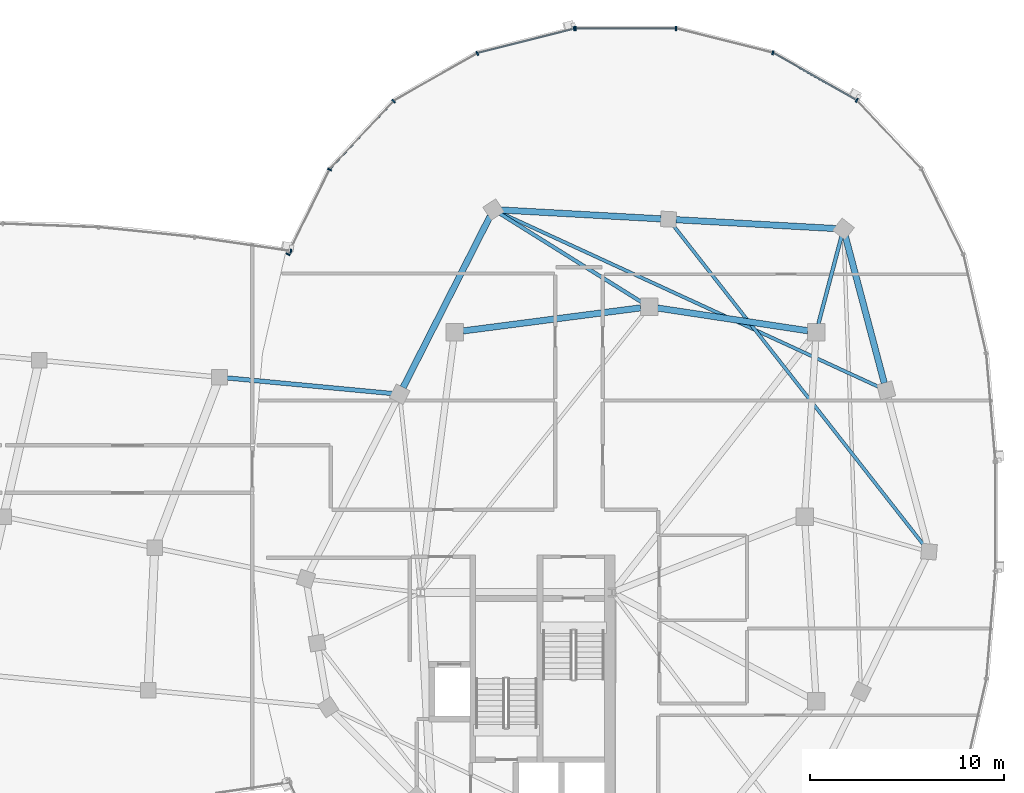
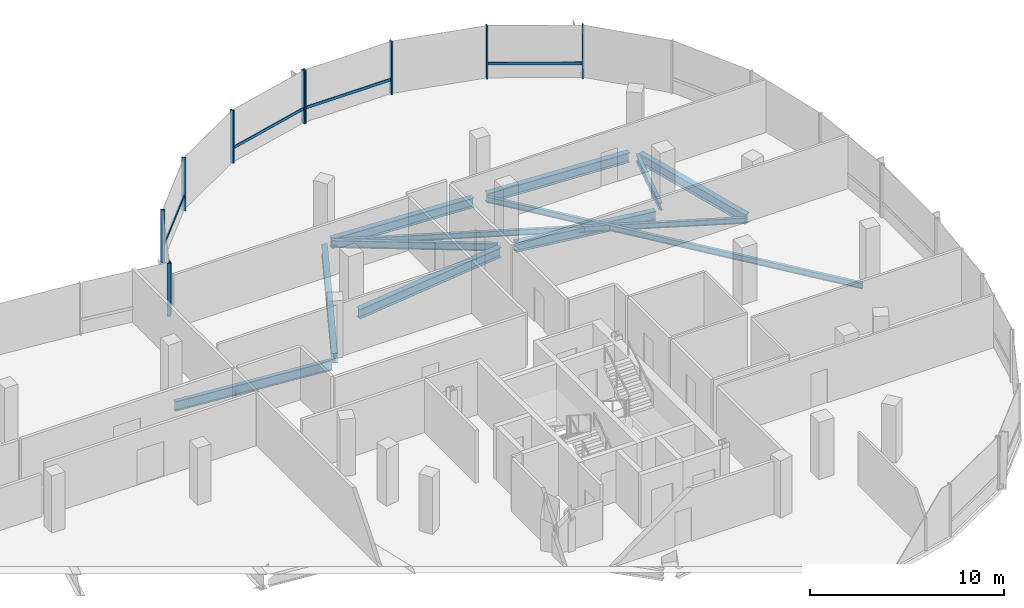
# One storey, part 10 of 25: 14 members, 11 beams, 3 elements without a shape of their own.
"""IFC4 building model written with IfcOpenShell, lengths in metres."""

import ifcopenshell
import ifcopenshell.guid

model = None  # the IFC model being written
_history = None  # IfcOwnerHistory: only IFC2X3 demands one
_inside = {}  # id of a spatial element -> (the spatial element, [elements in it])
_under = {}  # id of a project, library or spatial element -> (it, [spatial elements below it])
_declared = {}  # id of a project -> (the project, [libraries it declares])
_typed = {}  # id of a type object -> (the type object, [elements of that type])
_made_of = {}  # id of a material, layer set ... -> (it, [elements and type objects made of it])


def new_model(schema):
    """Start an empty IFC model of exactly this schema.

    Asked for "IFC4X3", IfcOpenShell would pick the latest addendum, in which some entities
    have other attributes; the version numbers below select the first issue.
    IFC2X3 requires an IfcOwnerHistory on every rooted entity: one is made here for all.
    """
    global model, _history
    if schema == "IFC4X3":
        model = ifcopenshell.file(schema_version=(4, 3, 0, 0))
    else:
        model = ifcopenshell.file(schema=schema)
    _inside.clear()
    _under.clear()
    _declared.clear()
    _typed.clear()
    _made_of.clear()
    _history = None
    if model.schema == "IFC2X3":
        org = make("IfcOrganization", Name="unknown")
        user = make(
            "IfcPersonAndOrganization",
            ThePerson=make("IfcPerson", FamilyName="unknown"),
            TheOrganization=org,
        )
        app = make(
            "IfcApplication",
            ApplicationDeveloper=org,
            Version="unknown",
            ApplicationFullName="unknown",
            ApplicationIdentifier="unknown",
        )
        _history = make(
            "IfcOwnerHistory",
            OwningUser=user,
            OwningApplication=app,
            ChangeAction="ADDED",
            CreationDate=0,
        )
    return model


def make(cls, **values):
    """One entity of the class cls with the attributes given. An attribute that is None is left unset."""
    return model.create_entity(
        cls, **{name: value for name, value in values.items() if value is not None}
    )


def rooted(cls, **values):
    """An entity with a GlobalId (a new one), such as an element, a storey or a relation."""
    return make(cls, GlobalId=ifcopenshell.guid.new(), OwnerHistory=_history, **values)


def si_unit(unit_type, name, prefix=None):
    """IfcSIUnit, for example si_unit("LENGTHUNIT", "METRE", prefix="MILLI")."""
    return make("IfcSIUnit", UnitType=unit_type, Prefix=prefix, Name=name)


def assignment(units):
    """IfcUnitAssignment: the units of a project."""
    return None if units is None else make("IfcUnitAssignment", Units=units)


def point(xyz):
    """IfcCartesianPoint."""
    return None if xyz is None else make("IfcCartesianPoint", Coordinates=xyz)


def direction(xyz):
    """IfcDirection."""
    return None if xyz is None else make("IfcDirection", DirectionRatios=xyz)


def frame(location, z_axis=None, x_axis=None):
    """IfcAxis2Placement3D, a coordinate frame: its origin and axes. An axis left out is left unset."""
    return make(
        "IfcAxis2Placement3D",
        Location=point(location),
        Axis=direction(z_axis),
        RefDirection=direction(x_axis),
    )


def frame_2d(location, x_axis=None):
    """IfcAxis2Placement2D, a coordinate frame in the plane: its origin and x axis."""
    return make(
        "IfcAxis2Placement2D", Location=point(location), RefDirection=direction(x_axis)
    )


def origin():
    """The frame at (0, 0, 0) with its axes left unset."""
    return frame((0.0, 0.0, 0.0))


def origin_2d():
    """The frame at (0, 0) in the plane with its x axis left unset."""
    return frame_2d((0.0, 0.0))


def place(relative_to, where):
    """IfcLocalPlacement: puts the frame where relative to a parent placement (None: the world)."""
    return make(
        "IfcLocalPlacement", PlacementRelTo=relative_to, RelativePlacement=where
    )


def context(
    kind, dimensions, precision=None, world=None, true_north=None, identifier=None
):
    """IfcGeometricRepresentationContext, for example the 3D "Model" context."""
    return make(
        "IfcGeometricRepresentationContext",
        ContextIdentifier=identifier,
        ContextType=kind,
        CoordinateSpaceDimension=dimensions,
        Precision=precision,
        WorldCoordinateSystem=world,
        TrueNorth=true_north,
    )


def subcontext(parent, identifier, kind, view, scale=None):
    """IfcGeometricRepresentationSubContext, for example "Body" below "Model"."""
    return make(
        "IfcGeometricRepresentationSubContext",
        ContextIdentifier=identifier,
        ContextType=kind,
        ParentContext=parent,
        TargetScale=scale,
        TargetView=view,
    )


def project(units=None, contexts=None):
    """IfcProject with its units and contexts."""
    return rooted(
        "IfcProject",
        Name="project",
        RepresentationContexts=contexts,
        UnitsInContext=assignment(units),
    )


def spatial(cls, under=None, at=None, **own):
    """A site, building, storey or space (cls), placed at a placement, below another one or the project."""
    s = rooted(cls, ObjectPlacement=at, **own)
    if under is not None:
        _under.setdefault(under.id(), (under, []))[1].append(s)
    return s


def profile(cls, at=None, kind="AREA", **sizes):
    """A parametric profile (cls). Its sizes go by their IFC names, for example OverallWidth=200.0."""
    return make(cls, ProfileType=kind, Position=at, **sizes)


def rectangle(**sizes):
    """IfcRectangleProfileDef."""
    return profile("IfcRectangleProfileDef", **sizes)


def i_section(**sizes):
    """IfcIShapeProfileDef."""
    return profile("IfcIShapeProfileDef", **sizes)


def extrude(swept, where, along, depth):
    """IfcExtrudedAreaSolid: the profile swept, set in the frame where, extruded along a direction by depth."""
    return make(
        "IfcExtrudedAreaSolid",
        SweptArea=swept,
        Position=where,
        ExtrudedDirection=direction(along),
        Depth=depth,
    )


def shape(context_of_items, identifier, shape_type, items):
    """IfcShapeRepresentation: the items that make up one representation, for example the "Body"."""
    return make(
        "IfcShapeRepresentation",
        ContextOfItems=context_of_items,
        RepresentationIdentifier=identifier,
        RepresentationType=shape_type,
        Items=items,
    )


def material(Name=None, Category=None):
    """IfcMaterial."""
    return make("IfcMaterial", Name=Name, Category=Category)


def material_profile(
    of_material, cross_section, Name=None, Category=None, Priority=None
):
    """IfcMaterialProfile: a cross section and its material."""
    return make(
        "IfcMaterialProfile",
        Name=Name,
        Material=of_material,
        Profile=cross_section,
        Priority=Priority,
        Category=Category,
    )


def profile_set(profiles, Name=None, composite=None):
    """IfcMaterialProfileSet."""
    return make(
        "IfcMaterialProfileSet",
        Name=Name,
        MaterialProfiles=profiles,
        CompositeProfile=composite,
    )


def made_of(thing, what):
    """Note that an element or type object is made of a material, layer set ...; save() writes the relation."""
    if what is not None:
        _made_of.setdefault(what.id(), (what, []))[1].append(thing)
    return thing


def type_object(cls, material=None, **own):
    """A type object (cls), such as IfcWallType, which elements share."""
    return made_of(rooted(cls, **own), material)


def element(
    cls,
    number,
    at=None,
    inside=None,
    cuts=None,
    type_object=None,
    material=None,
    context=None,
    identifier="Body",
    shape_type=None,
    held_by="IfcProductDefinitionShape",
    body=None,
    shapes=None,
    **own,
):
    """One element of the class cls, such as IfcWall. Its Tag is "e" and its number.

    at: its placement. inside: the storey or other place that contains it. cuts: it is an
    opening in that element (IfcRelVoidsElement). A single representation is given by context,
    identifier, shape_type and body (its items); several are given by shapes. held_by: the class
    of the entity that holds the representations. save() writes the other relations.
    """
    e = rooted(cls, Tag="e%d" % number, ObjectPlacement=at, **own)
    if body is not None:
        shapes = [shape(context, identifier, shape_type, body)]
    if shapes is not None:
        e.Representation = make(held_by, Representations=shapes)
    if inside is not None:
        _inside.setdefault(inside.id(), (inside, []))[1].append(e)
    if cuts is not None:
        rooted(
            "IfcRelVoidsElement", RelatingBuildingElement=cuts, RelatedOpeningElement=e
        )
    if type_object is not None:
        _typed.setdefault(type_object.id(), (type_object, []))[1].append(e)
    return made_of(e, material)


def aggregate(whole, parts):
    """IfcRelAggregates: a whole, such as a stair, and the parts it consists of."""
    return rooted("IfcRelAggregates", RelatingObject=whole, RelatedObjects=parts)


def save(model, path):
    """Write the relations noted so far, then the file.

    IfcRelAggregates (storeys below a building ...), IfcRelContainedInSpatialStructure (elements
    in a storey), IfcRelDefinesByType, IfcRelAssociatesMaterial and IfcRelDeclares: one each for
    every whole, place, type object, material and project.
    """
    for whole, parts in _under.values():
        aggregate(whole, parts)
    for where, things in _inside.values():
        rooted(
            "IfcRelContainedInSpatialStructure",
            RelatedElements=things,
            RelatingStructure=where,
        )
    for kind, things in _typed.values():
        rooted("IfcRelDefinesByType", RelatedObjects=things, RelatingType=kind)
    for what, things in _made_of.values():
        rooted("IfcRelAssociatesMaterial", RelatedObjects=things, RelatingMaterial=what)
    for by, libraries in _declared.values():
        rooted("IfcRelDeclares", RelatingContext=by, RelatedDefinitions=libraries)
    model.write(path)


model = new_model("IFC4")

# Units and contexts
model_context = context("Model", 3, precision=1e-05, world=origin(), true_north=direction((0.0, 1.0)))
body_context = subcontext(model_context, "Body", "Model", "MODEL_VIEW")
ifc_project = project(units=[si_unit("LENGTHUNIT", "METRE"), si_unit("AREAUNIT", "SQUARE_METRE"), si_unit("VOLUMEUNIT", "CUBIC_METRE"), si_unit("PLANEANGLEUNIT", "RADIAN"), si_unit("MASSUNIT", "GRAM", prefix="KILO"), si_unit("THERMODYNAMICTEMPERATUREUNIT", "KELVIN"), si_unit("POWERUNIT", "WATT")], contexts=[model_context])

# Site, building, storey
site_placement = place(None, origin())
site = spatial("IfcSite", under=ifc_project, at=site_placement, CompositionType="ELEMENT")
building_placement = place(site_placement, origin())
building = spatial("IfcBuilding", under=site, at=building_placement, Name="Cundina Bronze Exchange", CompositionType="ELEMENT")
storey_placement = place(building_placement, frame((0.0, 0.0, 246.800048828125)))
storey = spatial("IfcBuildingStorey", under=building, at=storey_placement, Name="L65", CompositionType="ELEMENT", Elevation=246.800048828125)

# Beams
ifc_material_1 = material(Name="Steel ASTM A992 Grade 50", Category="steel")
ifc_material_profile_1 = material_profile(ifc_material_1, i_section(OverallWidth=0.19091796875, OverallDepth=0.4599609375, WebThickness=0.010009765625, FlangeThickness=0.01611328125, FilletRadius=0.011962890625, at=origin_2d()), Name="W18X55", Category="steel")
ifc_profile_set_1 = profile_set([ifc_material_profile_1], Name="Steel ASTM A992 Grade 50")
beam_type_1 = type_object("IfcBeamType", Name="BM-FLR-W18B", PredefinedType="BEAM", material=ifc_profile_set_1)
beam_1_placement = place(storey_placement, frame((41.911865234375, 9.923583984375, -0.489990234375), z_axis=(0.255383723615, 0.96683977665, 0.0), x_axis=(-0.96683977665, 0.255383723615, 0.0)))
element("IfcBeam", 1, at=beam_1_placement, inside=storey, type_object=beam_type_1, Name="L65 Leg E Chordal Floor Beam 10", PredefinedType="BEAM", context=body_context, shape_type="SweptSolid", body=[
    extrude(i_section(OverallWidth=0.19091796875, OverallDepth=0.4599609375, WebThickness=0.010009765625, FlangeThickness=0.01611328125, FilletRadius=0.011962890625, at=origin_2d()), origin(), (0.0, 0.0, 1.0), 4.655517578125),
])
beam_2_placement = place(storey_placement, frame((32.82861328125, 11.031982421875, -0.489990234375), z_axis=(-0.847983963552, 0.530021884038, 0.0), x_axis=(-0.530021884038, -0.847983963552, 0.0)))
element("IfcBeam", 2, at=beam_2_placement, inside=storey, type_object=beam_type_1, Name="L65 Leg E Chordal Floor Beam 12", PredefinedType="BEAM", context=body_context, shape_type="SweptSolid", body=[
    extrude(i_section(OverallWidth=0.19091796875, OverallDepth=0.4599609375, WebThickness=0.010009765625, FlangeThickness=0.01611328125, FilletRadius=0.011962890625, at=origin_2d()), origin(), (0.0, 0.0, 1.0), 8.608154296875),
])
ifc_material_profile_2 = material_profile(ifc_material_1, i_section(OverallWidth=0.22998046875, OverallDepth=0.616943359375, WebThickness=0.01318359375, FlangeThickness=0.022216796875, FilletRadius=0.013916015625, at=origin_2d()), Name="W24X94", Category="steel")
ifc_profile_set_2 = profile_set([ifc_material_profile_2], Name="Steel ASTM A992 Grade 50")
beam_type_2 = type_object("IfcBeamType", Name="BM-FLR-W24B", PredefinedType="BEAM", material=ifc_profile_set_2)
beam_3_placement = place(storey_placement, frame((11.285400390625, 7.158203125, -0.628662109375), z_axis=(0.995572136276, -0.094000646124, 0.0), x_axis=(0.094000646124, 0.995572136276, 0.0)))
element("IfcBeam", 3, at=beam_3_placement, inside=storey, type_object=beam_type_2, Name="L65 Sky-Gate Longitudinal Girder Y3-P4", PredefinedType="BEAM", context=body_context, shape_type="SweptSolid", body=[
    extrude(i_section(OverallWidth=0.22998046875, OverallDepth=0.616943359375, WebThickness=0.01318359375, FlangeThickness=0.022216796875, FilletRadius=0.013916015625, at=origin_2d()), origin(), (0.0, 0.0, 1.0), 8.949951171875),
])
ifc_material_profile_3 = material_profile(ifc_material_1, i_section(OverallWidth=0.172119140625, OverallDepth=0.35791015625, WebThickness=0.0078125, FlangeThickness=0.01318359375, FilletRadius=0.010009765625, at=origin_2d()), Name="W14X38", Category="steel")
ifc_profile_set_3 = profile_set([ifc_material_profile_3], Name="Steel ASTM A992 Grade 50")
beam_type_3 = type_object("IfcBeamType", Name="BM-JST-W14", PredefinedType="JOIST", material=ifc_profile_set_3)
beam_4_placement = place(storey_placement, frame((47.360595703125, -1.49462890625, -0.43896484375), z_axis=(-0.616804005008, 0.78711677622, 0.0), x_axis=(-0.78711677622, -0.616804005008, 0.0)))
element("IfcBeam", 4, at=beam_4_placement, inside=storey, type_object=beam_type_3, Name="L65 Leg E Lobe Floor Joist 08-11", PredefinedType="JOIST", context=body_context, shape_type="SweptSolid", body=[
    extrude(i_section(OverallWidth=0.172119140625, OverallDepth=0.35791015625, WebThickness=0.0078125, FlangeThickness=0.01318359375, FilletRadius=0.010009765625, at=origin_2d()), origin(), (0.0, 0.0, 1.0), 20.948974609375),
])
beam_5_placement = place(storey_placement, frame((45.047607421875, 6.662353515625, -0.43896484375), z_axis=(-0.908356175703, 0.418197391266, 0.0), x_axis=(-0.418197391266, -0.908356175703, 0.0)))
element("IfcBeam", 5, at=beam_5_placement, inside=storey, type_object=beam_type_3, Name="L65 Leg E Lobe Floor Joist 09-12", PredefinedType="JOIST", context=body_context, shape_type="SweptSolid", body=[
    extrude(i_section(OverallWidth=0.172119140625, OverallDepth=0.35791015625, WebThickness=0.0078125, FlangeThickness=0.01318359375, FilletRadius=0.010009765625, at=origin_2d()), origin(), (0.0, 0.0, 1.0), 21.4619140625),
])
ifc_material_profile_4 = material_profile(ifc_material_1, i_section(OverallWidth=0.324951171875, OverallDepth=0.615966796875, WebThickness=0.013916015625, FlangeThickness=0.021484375, FilletRadius=0.01611328125, at=origin_2d()), Name="W24X117", Category="steel")
ifc_profile_set_4 = profile_set([ifc_material_profile_4], Name="Steel ASTM A992 Grade 50")
beam_type_4 = type_object("IfcBeamType", Name="BM-RING-W24", PredefinedType="USERDEFINED", material=ifc_profile_set_4)
beam_6_placement = place(storey_placement, frame((41.366943359375, 9.5654296875, -0.568115234375), z_axis=(-0.988764903598, 0.149478979839, 0.0), x_axis=(-0.149478979839, -0.988764903598, 0.0)))
element("IfcBeam", 6, at=beam_6_placement, inside=storey, type_object=beam_type_4, Name="L65 E Inner Structural Ring Girder 05", ObjectType="GIRDER", PredefinedType="USERDEFINED", context=body_context, shape_type="SweptSolid", body=[
    extrude(i_section(OverallWidth=0.324951171875, OverallDepth=0.615966796875, WebThickness=0.013916015625, FlangeThickness=0.021484375, FilletRadius=0.01611328125, at=origin_2d()), origin(), (0.0, 0.0, 1.0), 7.82177734375),
])
beam_7_placement = place(storey_placement, frame((32.765625, 10.743408203125, -0.568115234375), z_axis=(-0.991656498582, -0.128908451316, 0.0), x_axis=(0.128908451316, -0.991656498582, 0.0)))
element("IfcBeam", 7, at=beam_7_placement, inside=storey, type_object=beam_type_4, Name="L65 E Inner Structural Ring Girder 06", ObjectType="GIRDER", PredefinedType="USERDEFINED", context=body_context, shape_type="SweptSolid", body=[
    extrude(i_section(OverallWidth=0.324951171875, OverallDepth=0.615966796875, WebThickness=0.013916015625, FlangeThickness=0.021484375, FilletRadius=0.01611328125, at=origin_2d()), origin(), (0.0, 0.0, 1.0), 9.208251953125),
])
beam_8_placement = place(storey_placement, frame((45.300537109375, 6.875, -0.568115234375), z_axis=(-0.256212999207, 0.966620348967, 0.0), x_axis=(-0.966620348967, -0.256212999207, 0.0)))
element("IfcBeam", 8, at=beam_8_placement, inside=storey, type_object=beam_type_4, Name="L65 E Perimeter Ring Girder 09", ObjectType="GIRDER", PredefinedType="USERDEFINED", context=body_context, shape_type="SweptSolid", body=[
    extrude(i_section(OverallWidth=0.324951171875, OverallDepth=0.615966796875, WebThickness=0.013916015625, FlangeThickness=0.021484375, FilletRadius=0.01611328125, at=origin_2d()), origin(), (0.0, 0.0, 1.0), 7.810791015625),
])
for number, where, z_axis, x_axis, name in (
    (9, (42.8125, 14.821533203125, -0.568115234375), (-0.998459806018, 0.055479868117, 0.0), (-0.055479868117, -0.998459806018, 0.0), "L65 E Perimeter Ring Girder 10"),
    (10, (33.8125, 15.321533203125, -0.568115234375), (-0.998459806018, 0.055479868117, 0.0), (-0.055479868117, -0.998459806018, 0.0), "L65 E Perimeter Ring Girder 11"),
):
    element("IfcBeam", number, at=place(storey_placement, frame(where, z_axis=z_axis, x_axis=x_axis)), inside=storey, type_object=beam_type_4, Name=name, ObjectType="GIRDER", PredefinedType="USERDEFINED", context=body_context, shape_type="SweptSolid", body=[
        extrude(i_section(OverallWidth=0.324951171875, OverallDepth=0.615966796875, WebThickness=0.013916015625, FlangeThickness=0.021484375, FilletRadius=0.01611328125, at=origin_2d()), origin(), (0.0, 0.0, 1.0), 8.23779296875),
    ])
beam_9_placement = place(storey_placement, frame((25.0244140625, 15.4541015625, -0.568115234375), z_axis=(-0.452839263805, -0.891592171991, 0.0), x_axis=(0.891592171991, -0.452839263805, 0.0)))
element("IfcBeam", 11, at=beam_9_placement, inside=storey, type_object=beam_type_4, Name="L65 E Perimeter Ring Girder 12", ObjectType="GIRDER", PredefinedType="USERDEFINED", context=body_context, shape_type="SweptSolid", body=[
    extrude(i_section(OverallWidth=0.324951171875, OverallDepth=0.615966796875, WebThickness=0.013916015625, FlangeThickness=0.021484375, FilletRadius=0.01611328125, at=origin_2d()), origin(), (0.0, 0.0, 1.0), 9.879150390625),
])

# Curtain wall, members
ifc_material_2 = material(Name="Anodised Bronze Aluminium 6063-T6", Category="aluminium")
curtain_wall_type = type_object("IfcCurtainWallType", Name="CWS-SKG-BRG", PredefinedType="NOTDEFINED", material=ifc_material_2)
curtain_wall_1_placement = place(storey_placement, origin())
curtain_wall_1 = element("IfcCurtainWall", 12, at=curtain_wall_1_placement, inside=storey, type_object=curtain_wall_type, Name="L65 CW-06 Curtain Wall Run CWR-L65-E1", PredefinedType="NOTDEFINED")
ifc_material_profile_5 = material_profile(ifc_material_2, rectangle(XDim=0.074951171875, YDim=0.219970703125, at=origin_2d()), Name="AL75X220", Category="aluminium")
ifc_profile_set_5 = profile_set([ifc_material_profile_5], Name="Anodised Bronze Aluminium 6063-T6")
member_type_1 = type_object("IfcMemberType", Name="CWM-MUL-220", PredefinedType="MULLION", material=ifc_profile_set_5)
member_1_placement = place(storey_placement, frame((43.88916015625, 21.419921875, 0.0), z_axis=(0.0, 0.0, 1.0), x_axis=(-0.86958112538, 0.493790103568, 0.0)))
member_1 = element("IfcMember", 13, at=member_1_placement, type_object=member_type_1, Name="CW-06 Mullion 5", PredefinedType="MULLION", context=body_context, shape_type="SweptSolid", body=[
    extrude(rectangle(XDim=0.074951171875, YDim=0.219970703125, at=origin_2d()), origin(), (0.0, 0.0, 1.0), 3.33984375),
])
member_2_placement = place(storey_placement, frame((39.5703125, 23.86181640625, 0.0), z_axis=(0.0, 0.0, 1.0), x_axis=(-0.969744325821, 0.244122802168, 0.0)))
member_2 = element("IfcMember", 14, at=member_2_placement, type_object=member_type_1, Name="CW-06 Mullion 6", PredefinedType="MULLION", context=body_context, shape_type="SweptSolid", body=[
    extrude(rectangle(XDim=0.074951171875, YDim=0.219970703125, at=origin_2d()), origin(), (0.0, 0.0, 1.0), 3.33984375),
])
member_3_placement = place(storey_placement, frame((34.576416015625, 25.110107421875, 0.0), z_axis=(0.0, 0.0, 1.0), x_axis=(-1.0, 0.0, 0.0)))
member_3 = element("IfcMember", 15, at=member_3_placement, type_object=member_type_1, Name="CW-06 Mullion 7", PredefinedType="MULLION", context=body_context, shape_type="SweptSolid", body=[
    extrude(rectangle(XDim=0.074951171875, YDim=0.219970703125, at=origin_2d()), origin(), (0.0, 0.0, 1.0), 3.33984375),
])
member_4_placement = place(storey_placement, frame((29.423583984375, 25.110107421875, 0.0), z_axis=(0.0, 0.0, 1.0), x_axis=(-1.0, 0.0, 0.0)))
member_4 = element("IfcMember", 16, at=member_4_placement, type_object=member_type_1, Name="CW-06 End Mullion", PredefinedType="MULLION", context=body_context, shape_type="SweptSolid", body=[
    extrude(rectangle(XDim=0.074951171875, YDim=0.219970703125, at=origin_2d()), origin(), (0.0, 0.0, 1.0), 3.33984375),
])

curtain_wall_2_placement = place(storey_placement, origin())
curtain_wall_2 = element("IfcCurtainWall", 17, at=curtain_wall_2_placement, inside=storey, type_object=curtain_wall_type, Name="L65 CW-06 Curtain Wall Run CWR-L65-E2", PredefinedType="NOTDEFINED")
member_5_placement = place(storey_placement, frame((29.351806640625, 25.10107421875, 0.0), z_axis=(0.0, 0.0, 1.0), x_axis=(-0.969744325821, -0.244122802168, 0.0)))
member_5 = element("IfcMember", 18, at=member_5_placement, type_object=member_type_1, Name="CW-06 Mullion 1", PredefinedType="MULLION", context=body_context, shape_type="SweptSolid", body=[
    extrude(rectangle(XDim=0.074951171875, YDim=0.219970703125, at=origin_2d()), origin(), (0.0, 0.0, 1.0), 3.33984375),
])
member_6_placement = place(storey_placement, frame((24.365478515625, 23.8359375, 0.0), z_axis=(0.0, 0.0, 1.0), x_axis=(-0.86958112538, -0.493790103568, 0.0)))
member_6 = element("IfcMember", 19, at=member_6_placement, type_object=member_type_1, Name="CW-06 Mullion 2", PredefinedType="MULLION", context=body_context, shape_type="SweptSolid", body=[
    extrude(rectangle(XDim=0.074951171875, YDim=0.219970703125, at=origin_2d()), origin(), (0.0, 0.0, 1.0), 3.33984375),
])
member_7_placement = place(storey_placement, frame((20.059814453125, 21.3798828125, 0.0), z_axis=(0.0, 0.0, 1.0), x_axis=(-0.684292606175, -0.729207535023, 0.0)))
member_7 = element("IfcMember", 20, at=member_7_placement, type_object=member_type_1, Name="CW-06 Mullion 3", PredefinedType="MULLION", context=body_context, shape_type="SweptSolid", body=[
    extrude(rectangle(XDim=0.074951171875, YDim=0.219970703125, at=origin_2d()), origin(), (0.0, 0.0, 1.0), 3.33984375),
])
member_8_placement = place(storey_placement, frame((16.7666015625, 17.856689453125, 0.0), z_axis=(0.0, 0.0, 1.0), x_axis=(-0.440566004113, -0.897720221461, 0.0)))
member_8 = element("IfcMember", 21, at=member_8_placement, type_object=member_type_1, Name="CW-06 Mullion 4", PredefinedType="MULLION", context=body_context, shape_type="SweptSolid", body=[
    extrude(rectangle(XDim=0.074951171875, YDim=0.219970703125, at=origin_2d()), origin(), (0.0, 0.0, 1.0), 3.33984375),
])
member_9_placement = place(storey_placement, frame((14.630859375, 13.50390625, 0.0), z_axis=(0.0, 0.0, 1.0), x_axis=(-0.440566004113, -0.897720221461, 0.0)))
member_9 = element("IfcMember", 22, at=member_9_placement, type_object=member_type_1, Name="CW-06 End Mullion", PredefinedType="MULLION", context=body_context, shape_type="SweptSolid", body=[
    extrude(rectangle(XDim=0.074951171875, YDim=0.219970703125, at=origin_2d()), origin(), (0.0, 0.0, 1.0), 3.33984375),
])

# Curtain wall, member
curtain_wall_3_placement = place(storey_placement, origin())
curtain_wall_3 = element("IfcCurtainWall", 23, at=curtain_wall_3_placement, inside=storey, type_object=curtain_wall_type, Name="L65 CW-06 Curtain Wall Run CWR-L65-BRGN", PredefinedType="NOTDEFINED")
member_10_placement = place(storey_placement, frame((14.779296875, 13.658935546875, 0.0), z_axis=(0.0, 0.0, 1.0), x_axis=(-0.989525789069, 0.144356201001, 0.0)))
member_10 = element("IfcMember", 24, at=member_10_placement, type_object=member_type_1, Name="CW-06 Mullion 1", PredefinedType="MULLION", context=body_context, shape_type="SweptSolid", body=[
    extrude(rectangle(XDim=0.074951171875, YDim=0.219970703125, at=origin_2d()), origin(), (0.0, 0.0, 1.0), 3.280029296875),
])
aggregate(curtain_wall_3, [member_10])

# Member
ifc_material_profile_6 = material_profile(ifc_material_2, rectangle(XDim=0.070068359375, YDim=0.179931640625, at=origin_2d()), Name="AL70X180", Category="aluminium")
ifc_profile_set_6 = profile_set([ifc_material_profile_6], Name="Anodised Bronze Aluminium 6063-T6")
member_type_2 = type_object("IfcMemberType", Name="CWM-TRN-180", PredefinedType="USERDEFINED", material=ifc_profile_set_6)
member_11_placement = place(storey_placement, frame((43.853271484375, 21.440185546875, 0.919921875), z_axis=(-0.869557366176, 0.493831941989, 0.0), x_axis=(-0.493831941989, -0.869557366176, 0.0)))
member_11 = element("IfcMember", 25, at=member_11_placement, type_object=member_type_2, Name="CW-06 Spandrel Transom 5", ObjectType="TRANSOM", PredefinedType="USERDEFINED", context=body_context, shape_type="SweptSolid", body=[
    extrude(rectangle(XDim=0.070068359375, YDim=0.179931640625, at=origin_2d()), origin(), (0.0, 0.0, 1.0), 4.892822265625),
])

member_12_placement = place(storey_placement, frame((34.53515625, 25.110107421875, 0.919921875), z_axis=(-1.0, 0.0, 0.0), x_axis=(0.0, -1.0, 0.0)))
member_12 = element("IfcMember", 26, at=member_12_placement, type_object=member_type_2, Name="CW-06 Spandrel Transom 7", ObjectType="TRANSOM", PredefinedType="USERDEFINED", context=body_context, shape_type="SweptSolid", body=[
    extrude(rectangle(XDim=0.070068359375, YDim=0.179931640625, at=origin_2d()), origin(), (0.0, 0.0, 1.0), 5.070556640625),
])

aggregate(curtain_wall_1, [member_1, member_11, member_2, member_3, member_4, member_12])

member_13_placement = place(storey_placement, frame((29.311767578125, 25.091064453125, 0.919921875), z_axis=(-0.969736547481, -0.244153698478, 0.0), x_axis=(0.244153698478, -0.969736547481, 0.0)))
member_13 = element("IfcMember", 27, at=member_13_placement, type_object=member_type_2, Name="CW-06 Spandrel Transom 1", ObjectType="TRANSOM", PredefinedType="USERDEFINED", context=body_context, shape_type="SweptSolid", body=[
    extrude(rectangle(XDim=0.070068359375, YDim=0.179931640625, at=origin_2d()), origin(), (0.0, 0.0, 1.0), 5.07568359375),
])

member_14_placement = place(storey_placement, frame((20.031494140625, 21.349609375, 0.919921875), z_axis=(-0.684328474899, -0.729173873944, 0.0), x_axis=(0.729173873944, -0.684328474899, 0.0)))
member_14 = element("IfcMember", 28, at=member_14_placement, type_object=member_type_2, Name="CW-06 Spandrel Transom 3", ObjectType="TRANSOM", PredefinedType="USERDEFINED", context=body_context, shape_type="SweptSolid", body=[
    extrude(rectangle(XDim=0.070068359375, YDim=0.179931640625, at=origin_2d()), origin(), (0.0, 0.0, 1.0), 4.758056640625),
])

aggregate(curtain_wall_2, [member_5, member_13, member_6, member_7, member_14, member_8, member_9])

save(model, "model.ifc")
